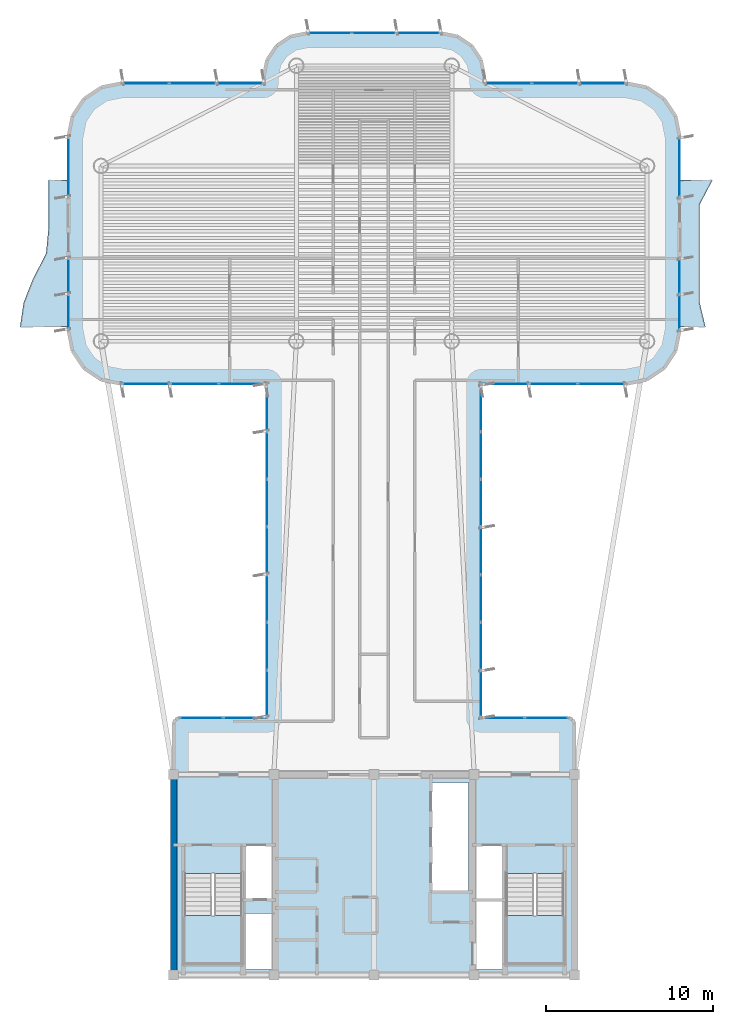
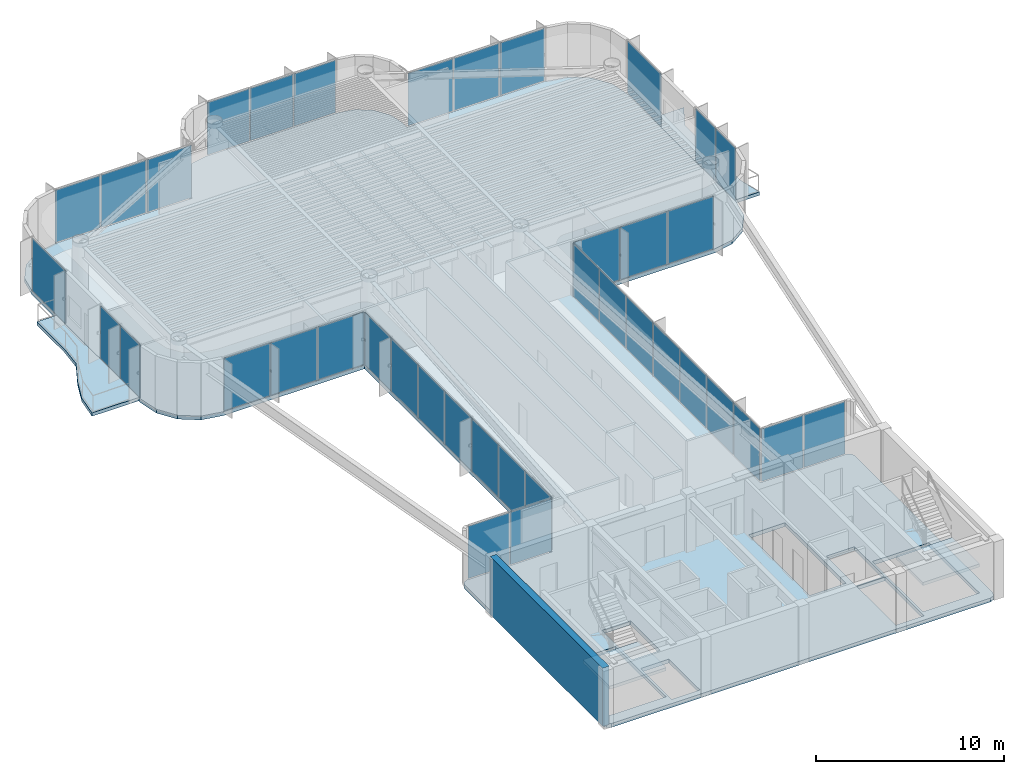
# One storey, part 9 of 15: 39 plates, 5 slabs, 1 wall, 15 elements without a shape of their own.
"""IFC4 building model written with IfcOpenShell, lengths in metres."""

from ifc_helpers import new_model, si_unit, direction, frame, frame_2d, origin, origin_2d, place, context, subcontext, project, spatial, polyline, rectangle, outline, extrude, source, transform, mapped, material, layer, layer_set, type_object, element, aggregate, save


model = new_model("IFC4")

# Units and contexts
model_context = context("Model", 3, precision=1e-05, world=origin(), true_north=direction((0.0, 1.0)))
body_context = subcontext(model_context, "Body", "Model", "MODEL_VIEW")
ifc_project = project(units=[si_unit("LENGTHUNIT", "METRE"), si_unit("AREAUNIT", "SQUARE_METRE"), si_unit("VOLUMEUNIT", "CUBIC_METRE"), si_unit("PLANEANGLEUNIT", "RADIAN"), si_unit("MASSUNIT", "GRAM", prefix="KILO")], contexts=[model_context])

# Site, building, storey
site_placement = place(None, origin())
site = spatial("IfcSite", under=ifc_project, at=site_placement, CompositionType="ELEMENT")
building_placement = place(site_placement, origin())
building = spatial("IfcBuilding", under=site, at=building_placement, Name="Brelvock Crest Care Tower", CompositionType="ELEMENT")
storey_placement = place(building_placement, frame((0.0, 0.0, 241.919921875)))
storey = spatial("IfcBuildingStorey", under=building, at=storey_placement, Name="L61", CompositionType="ELEMENT", Elevation=241.919921875)

# Slabs
ifc_material_1 = material(Name="Concrete N50 (50 MPa)", Category="concrete")
ifc_layer_1 = layer(ifc_material_1, 0.22998046875, Name="SLB-FL4")
ifc_layer_set_1 = layer_set([ifc_layer_1], Name="Concrete N50 (50 MPa)")
slab_type_1 = type_object("IfcSlabType", Name="SLB-FL4", PredefinedType="FLOOR", material=ifc_layer_set_1)
slab_1_placement = place(storey_placement, frame((0.0, 0.0, -0.25)))
element("IfcSlab", 1, at=slab_1_placement, inside=storey, type_object=slab_type_1, Name="L61 Main Structural Slab", PredefinedType="FLOOR", context=body_context, shape_type="SweptSolid", body=[
    extrude(outline(polyline([(47.64990234375, 21.39990234375), (42.39990234375, 21.39990234375), (42.39990234375, 41.39990234375), (51.10009765625, 41.39990234375), (52.32470703125, 41.6435546875), (53.36279296875, 42.33740234375), (54.056396484375, 43.37548828125), (54.300048828125, 44.60009765625), (54.300048828125, 56.199951171875), (54.056396484375, 57.424560546875), (53.36279296875, 58.462646484375), (52.32470703125, 59.156494140625), (51.10009765625, 59.39990234375), (42.60009765625, 59.39990234375), (42.60009765625, 59.800048828125), (42.402099609375, 60.794921875), (41.83837890625, 61.638427734375), (40.9951171875, 62.2021484375), (40.0, 62.39990234375), (32.0, 62.39990234375), (31.0048828125, 62.2021484375), (30.16162109375, 61.638427734375), (29.597900390625, 60.794921875), (29.39990234375, 59.800048828125), (29.39990234375, 59.39990234375), (20.89990234375, 59.39990234375), (19.67529296875, 59.156494140625), (18.63720703125, 58.462646484375), (17.943603515625, 57.424560546875), (17.699951171875, 56.199951171875), (17.699951171875, 44.60009765625), (17.943603515625, 43.37548828125), (18.63720703125, 42.33740234375), (19.67529296875, 41.6435546875), (20.89990234375, 41.39990234375), (29.60009765625, 41.39990234375), (29.60009765625, 21.39990234375), (24.35009765625, 21.39990234375), (24.1025390625, 21.297607421875), (24.0, 21.050048828125), (24.0, 6.35009765625), (24.1025390625, 6.1025390625), (24.35009765625, 6.0), (47.64990234375, 6.0), (47.8974609375, 6.1025390625), (48.0, 6.35009765625), (48.0, 21.050048828125), (47.8974609375, 21.297607421875), (47.64990234375, 21.39990234375)]), holes=[polyline([(28.239990234375, 10.580078125), (29.97998046875, 10.580078125), (29.97998046875, 13.739990234375), (28.239990234375, 13.739990234375), (28.239990234375, 10.580078125)]), polyline([(42.02001953125, 10.580078125), (43.760009765625, 10.580078125), (43.760009765625, 13.739990234375), (42.02001953125, 13.739990234375), (42.02001953125, 10.580078125)]), polyline([(28.239990234375, 6.340087890625), (29.97998046875, 6.340087890625), (29.97998046875, 9.64990234375), (28.239990234375, 9.64990234375), (28.239990234375, 6.340087890625)]), polyline([(24.6298828125, 12.080078125), (24.6298828125, 6.699951171875), (28.110107421875, 6.699951171875), (28.110107421875, 12.080078125), (24.6298828125, 12.080078125)]), polyline([(43.889892578125, 12.080078125), (43.889892578125, 6.699951171875), (47.3701171875, 6.699951171875), (47.3701171875, 12.080078125), (43.889892578125, 12.080078125)]), polyline([(42.02001953125, 6.340087890625), (43.760009765625, 6.340087890625), (43.760009765625, 10.5), (42.02001953125, 10.5), (42.02001953125, 6.340087890625)]), polyline([(39.429931640625, 11.030029296875), (41.669921875, 11.030029296875), (41.669921875, 17.52001953125), (39.429931640625, 17.52001953125), (39.429931640625, 11.030029296875)])]), origin(), (0.0, 0.0, 1.0), 0.25),
])
ifc_layer_2 = layer(ifc_material_1, 0.219970703125, Name="SLB-WB1")
ifc_layer_set_2 = layer_set([ifc_layer_2], Name="Concrete N50 (50 MPa)")
slab_type_2 = type_object("IfcSlabType", Name="SLB-WB1", PredefinedType="FLOOR", material=ifc_layer_set_2)
slab_2_placement = place(storey_placement, frame((0.0, 0.0, -0.219970703125)))
element("IfcSlab", 2, at=slab_2_placement, inside=storey, type_object=slab_type_2, Name="L61 W Sinusoidal Wave Balcony Slab", PredefinedType="FLOOR", context=body_context, shape_type="SweptSolid", body=[
    extrude(outline(polyline([(17.699951171875, 53.60009765625), (16.5, 53.60009765625), (16.5, 52.13330078125), (16.5, 50.666748046875), (16.361083984375, 49.199951171875), (15.600830078125, 47.7333984375), (15.017822265625, 46.2666015625), (14.800048828125, 44.800048828125), (17.699951171875, 44.800048828125), (17.699951171875, 53.60009765625)])), origin(), (0.0, 0.0, 1.0), 0.219970703125),
])
slab_3_placement = place(storey_placement, frame((0.0, 0.0, -0.219970703125)))
element("IfcSlab", 3, at=slab_3_placement, inside=storey, type_object=slab_type_2, Name="L61 E Sinusoidal Wave Balcony Slab", PredefinedType="FLOOR", context=body_context, shape_type="SweptSolid", body=[
    extrude(outline(polyline([(54.300048828125, 44.800048828125), (55.85009765625, 44.800048828125), (55.5, 46.2666015625), (55.5, 47.7333984375), (55.5, 49.199951171875), (55.5, 50.666748046875), (55.50048828125, 52.13330078125), (56.26708984375, 53.60009765625), (54.300048828125, 53.60009765625), (54.300048828125, 44.800048828125)])), origin(), (0.0, 0.0, 1.0), 0.219970703125),
])

# Stair, slab
ifc_material_2 = material(Name="Concrete N40 (40 MPa)", Category="concrete")
stair_type = type_object("IfcStairType", Name="ST-CORE1", PredefinedType="HALF_TURN_STAIR", material=ifc_material_2)
stair_1_placement = place(storey_placement, origin())
stair_1 = element("IfcStair", 4, at=stair_1_placement, inside=storey, type_object=stair_type, Name="L61 Fire-Isolated Core Stair ST-1", PredefinedType="HALF_TURN_STAIR")
ifc_layer_3 = layer(ifc_material_2, 0.199951171875, Name="STL-1")
ifc_layer_set_3 = layer_set([ifc_layer_3], Name="Concrete N40 (40 MPa)")
slab_type_3 = type_object("IfcSlabType", Name="STL-1", PredefinedType="LANDING", material=ifc_layer_set_3)
slab_4_placement = place(storey_placement, frame((0.0, 0.0, 1.690185546875)))
slab_4 = element("IfcSlab", 5, at=slab_4_placement, type_object=slab_type_3, Name="ST-1 landing 1", PredefinedType="LANDING", context=body_context, shape_type="SweptSolid", body=[
    extrude(outline(polyline([(24.6298828125, 9.56005859375), (24.6298828125, 6.699951171875), (28.110107421875, 6.699951171875), (28.110107421875, 9.56005859375), (24.6298828125, 9.56005859375)])), origin(), (0.0, 0.0, 1.0), 0.199951171875),
])
aggregate(stair_1, [slab_4])

stair_2_placement = place(storey_placement, origin())
stair_2 = element("IfcStair", 6, at=stair_2_placement, inside=storey, type_object=stair_type, Name="L61 Fire-Isolated Core Stair ST-2", PredefinedType="HALF_TURN_STAIR")
slab_5_placement = place(storey_placement, frame((0.0, 0.0, 1.690185546875)))
slab_5 = element("IfcSlab", 7, at=slab_5_placement, type_object=slab_type_3, Name="ST-2 landing 1", PredefinedType="LANDING", context=body_context, shape_type="SweptSolid", body=[
    extrude(outline(polyline([(43.889892578125, 9.56005859375), (43.889892578125, 6.699951171875), (47.3701171875, 6.699951171875), (47.3701171875, 9.56005859375), (43.889892578125, 9.56005859375)])), origin(), (0.0, 0.0, 1.0), 0.199951171875),
])
aggregate(stair_2, [slab_5])

# Curtain wall, plates
ifc_material_3 = material(Name="Dark Glass Double Glazed Low-E", Category="glass")
ifc_layer_4 = layer(ifc_material_3, 0.239990234375, Name="CWS-5")
ifc_layer_set_4 = layer_set([ifc_layer_4], Name="Dark Glass Double Glazed Low-E")
curtain_wall_type = type_object("IfcCurtainWallType", Name="CWS-5", PredefinedType="NOTDEFINED", material=ifc_layer_set_4)
curtain_wall_1_placement = place(storey_placement, origin())
curtain_wall_1 = element("IfcCurtainWall", 8, at=curtain_wall_1_placement, inside=storey, type_object=curtain_wall_type, Name="L61 Curtain Wall E10", PredefinedType="NOTDEFINED")
ifc_layer_5 = layer(ifc_material_3, 0.0380859375, Name="CWP-V2")
ifc_layer_set_5 = layer_set([ifc_layer_5], Name="Dark Glass Double Glazed Low-E")
plate_type = type_object("IfcPlateType", Name="CWP-V2", PredefinedType="CURTAIN_PANEL", material=ifc_layer_set_5)
shared_shape_1 = source(origin(), body_context, "Body", "SweptSolid", [
    extrude(rectangle(XDim=2.534912109375, YDim=0.035888671875, at=origin_2d()), origin(), (0.0, 0.0, 1.0), 3.409912109375),
])
plate_1_placement = place(storey_placement, frame((25.677490234375, 21.39990234375, 0.06005859375), z_axis=(0.0, 0.0, 1.0), x_axis=(1.0, 0.0, 0.0)))
plate_1 = element("IfcPlate", 9, at=plate_1_placement, type_object=plate_type, Name="CW-5 panel 1.1", PredefinedType="CURTAIN_PANEL", context=body_context, shape_type="MappedRepresentation", body=[
    mapped(shared_shape_1, transform((0.0, 0.0, 0.0), x_axis=(1.0, 0.0, 0.0), y_axis=(0.0, 1.0, 0.0), z_axis=(0.0, 0.0, 1.0), scale=1.0)),
])
plate_2_placement = place(storey_placement, frame((28.2724609375, 21.39990234375, 0.06005859375), z_axis=(0.0, 0.0, 1.0), x_axis=(1.0, 0.0, 0.0)))
plate_2 = element("IfcPlate", 10, at=plate_2_placement, type_object=plate_type, Name="CW-5 panel 2.1", PredefinedType="CURTAIN_PANEL", context=body_context, shape_type="MappedRepresentation", body=[
    mapped(shared_shape_1, transform((0.0, 0.0, 0.0), x_axis=(1.0, 0.0, 0.0), y_axis=(0.0, 1.0, 0.0), z_axis=(0.0, 0.0, 1.0), scale=1.0)),
])
aggregate(curtain_wall_1, [plate_1, plate_2])

curtain_wall_2_placement = place(storey_placement, origin())
curtain_wall_2 = element("IfcCurtainWall", 11, at=curtain_wall_2_placement, inside=storey, type_object=curtain_wall_type, Name="L61 Curtain Wall E46", PredefinedType="NOTDEFINED")
plate_3_placement = place(storey_placement, frame((43.7275390625, 21.39990234375, 0.06005859375), z_axis=(0.0, 0.0, 1.0), x_axis=(1.0, 0.0, 0.0)))
plate_3 = element("IfcPlate", 12, at=plate_3_placement, type_object=plate_type, Name="CW-5 panel 1.1", PredefinedType="CURTAIN_PANEL", context=body_context, shape_type="MappedRepresentation", body=[
    mapped(shared_shape_1, transform((0.0, 0.0, 0.0), x_axis=(1.0, 0.0, 0.0), y_axis=(0.0, 1.0, 0.0), z_axis=(0.0, 0.0, 1.0), scale=1.0)),
])
plate_4_placement = place(storey_placement, frame((46.322509765625, 21.39990234375, 0.06005859375), z_axis=(0.0, 0.0, 1.0), x_axis=(1.0, 0.0, 0.0)))
plate_4 = element("IfcPlate", 13, at=plate_4_placement, type_object=plate_type, Name="CW-5 panel 2.1", PredefinedType="CURTAIN_PANEL", context=body_context, shape_type="MappedRepresentation", body=[
    mapped(shared_shape_1, transform((0.0, 0.0, 0.0), x_axis=(1.0, 0.0, 0.0), y_axis=(0.0, 1.0, 0.0), z_axis=(0.0, 0.0, 1.0), scale=1.0)),
])
aggregate(curtain_wall_2, [plate_3, plate_4])

curtain_wall_3_placement = place(storey_placement, origin())
curtain_wall_3 = element("IfcCurtainWall", 14, at=curtain_wall_3_placement, inside=storey, type_object=curtain_wall_type, Name="L61 Curtain Wall E11", PredefinedType="NOTDEFINED")
shared_shape_2 = source(origin(), body_context, "Body", "SweptSolid", [
    extrude(rectangle(XDim=2.76708984375, YDim=0.035888671875, at=origin_2d()), origin(), (0.0, 0.0, 1.0), 3.409912109375),
])
plate_5_placement = place(storey_placement, frame((29.60009765625, 22.843505859375, 0.06005859375), z_axis=(0.0, 0.0, 1.0), x_axis=(0.0, 1.0, 0.0)))
plate_5 = element("IfcPlate", 15, at=plate_5_placement, type_object=plate_type, Name="CW-5 panel 1.1", PredefinedType="CURTAIN_PANEL", context=body_context, shape_type="MappedRepresentation", body=[
    mapped(shared_shape_2, transform((0.0, 0.0, 0.0), x_axis=(1.0, 0.0, 0.0), y_axis=(0.0, 1.0, 0.0), z_axis=(0.0, 0.0, 1.0), scale=1.0)),
])
plate_6_placement = place(storey_placement, frame((29.60009765625, 39.95654296875, 0.06005859375), z_axis=(0.0, 0.0, 1.0), x_axis=(0.0, 1.0, 0.0)))
plate_6 = element("IfcPlate", 16, at=plate_6_placement, type_object=plate_type, Name="CW-5 panel 7.1", PredefinedType="CURTAIN_PANEL", context=body_context, shape_type="MappedRepresentation", body=[
    mapped(shared_shape_2, transform((0.0, 0.0, 0.0), x_axis=(1.0, 0.0, 0.0), y_axis=(0.0, 1.0, 0.0), z_axis=(0.0, 0.0, 1.0), scale=1.0)),
])

curtain_wall_4_placement = place(storey_placement, origin())
curtain_wall_4 = element("IfcCurtainWall", 17, at=curtain_wall_4_placement, inside=storey, type_object=curtain_wall_type, Name="L61 Curtain Wall E45", PredefinedType="NOTDEFINED")
plate_7_placement = place(storey_placement, frame((42.39990234375, 39.95654296875, 0.06005859375), z_axis=(0.0, 0.0, 1.0), x_axis=(0.0, -1.0, 0.0)))
plate_7 = element("IfcPlate", 18, at=plate_7_placement, type_object=plate_type, Name="CW-5 panel 1.1", PredefinedType="CURTAIN_PANEL", context=body_context, shape_type="MappedRepresentation", body=[
    mapped(shared_shape_2, transform((0.0, 0.0, 0.0), x_axis=(1.0, 0.0, 0.0), y_axis=(0.0, 1.0, 0.0), z_axis=(0.0, 0.0, 1.0), scale=1.0)),
])
plate_8_placement = place(storey_placement, frame((42.39990234375, 22.843505859375, 0.06005859375), z_axis=(0.0, 0.0, 1.0), x_axis=(0.0, -1.0, 0.0)))
plate_8 = element("IfcPlate", 19, at=plate_8_placement, type_object=plate_type, Name="CW-5 panel 7.1", PredefinedType="CURTAIN_PANEL", context=body_context, shape_type="MappedRepresentation", body=[
    mapped(shared_shape_2, transform((0.0, 0.0, 0.0), x_axis=(1.0, 0.0, 0.0), y_axis=(0.0, 1.0, 0.0), z_axis=(0.0, 0.0, 1.0), scale=1.0)),
])

# Plate
shared_shape_3 = source(origin(), body_context, "Body", "SweptSolid", [
    extrude(rectangle(XDim=2.797119140625, YDim=0.035888671875, at=origin_2d()), origin(), (0.0, 0.0, 1.0), 3.409912109375),
])
plate_9_placement = place(storey_placement, frame((29.60009765625, 25.685791015625, 0.06005859375), z_axis=(0.0, 0.0, 1.0), x_axis=(0.0, 1.0, 0.0)))
plate_9 = element("IfcPlate", 20, at=plate_9_placement, type_object=plate_type, Name="CW-5 panel 2.1", PredefinedType="CURTAIN_PANEL", context=body_context, shape_type="MappedRepresentation", body=[
    mapped(shared_shape_3, transform((0.0, 0.0, 0.0), x_axis=(1.0, 0.0, 0.0), y_axis=(0.0, 1.0, 0.0), z_axis=(0.0, 0.0, 1.0), scale=1.0)),
])

plate_10_placement = place(storey_placement, frame((29.60009765625, 28.54296875, 0.06005859375), z_axis=(0.0, 0.0, 1.0), x_axis=(0.0, 1.0, 0.0)))
plate_10 = element("IfcPlate", 21, at=plate_10_placement, type_object=plate_type, Name="CW-5 panel 3.1", PredefinedType="CURTAIN_PANEL", context=body_context, shape_type="MappedRepresentation", body=[
    mapped(shared_shape_3, transform((0.0, 0.0, 0.0), x_axis=(1.0, 0.0, 0.0), y_axis=(0.0, 1.0, 0.0), z_axis=(0.0, 0.0, 1.0), scale=1.0)),
])

plate_11_placement = place(storey_placement, frame((29.60009765625, 31.39990234375, 0.06005859375), z_axis=(0.0, 0.0, 1.0), x_axis=(0.0, 1.0, 0.0)))
plate_11 = element("IfcPlate", 22, at=plate_11_placement, type_object=plate_type, Name="CW-5 panel 4.1", PredefinedType="CURTAIN_PANEL", context=body_context, shape_type="MappedRepresentation", body=[
    mapped(shared_shape_3, transform((0.0, 0.0, 0.0), x_axis=(1.0, 0.0, 0.0), y_axis=(0.0, 1.0, 0.0), z_axis=(0.0, 0.0, 1.0), scale=1.0)),
])

plate_12_placement = place(storey_placement, frame((29.60009765625, 34.257080078125, 0.06005859375), z_axis=(0.0, 0.0, 1.0), x_axis=(0.0, 1.0, 0.0)))
plate_12 = element("IfcPlate", 23, at=plate_12_placement, type_object=plate_type, Name="CW-5 panel 5.1", PredefinedType="CURTAIN_PANEL", context=body_context, shape_type="MappedRepresentation", body=[
    mapped(shared_shape_3, transform((0.0, 0.0, 0.0), x_axis=(1.0, 0.0, 0.0), y_axis=(0.0, 1.0, 0.0), z_axis=(0.0, 0.0, 1.0), scale=1.0)),
])

plate_13_placement = place(storey_placement, frame((29.60009765625, 37.1142578125, 0.06005859375), z_axis=(0.0, 0.0, 1.0), x_axis=(0.0, 1.0, 0.0)))
plate_13 = element("IfcPlate", 24, at=plate_13_placement, type_object=plate_type, Name="CW-5 panel 6.1", PredefinedType="CURTAIN_PANEL", context=body_context, shape_type="MappedRepresentation", body=[
    mapped(shared_shape_3, transform((0.0, 0.0, 0.0), x_axis=(1.0, 0.0, 0.0), y_axis=(0.0, 1.0, 0.0), z_axis=(0.0, 0.0, 1.0), scale=1.0)),
])

aggregate(curtain_wall_3, [plate_5, plate_9, plate_10, plate_11, plate_12, plate_13, plate_6])

plate_14_placement = place(storey_placement, frame((42.39990234375, 37.1142578125, 0.06005859375), z_axis=(0.0, 0.0, 1.0), x_axis=(0.0, -1.0, 0.0)))
plate_14 = element("IfcPlate", 25, at=plate_14_placement, type_object=plate_type, Name="CW-5 panel 2.1", PredefinedType="CURTAIN_PANEL", context=body_context, shape_type="MappedRepresentation", body=[
    mapped(shared_shape_3, transform((0.0, 0.0, 0.0), x_axis=(1.0, 0.0, 0.0), y_axis=(0.0, 1.0, 0.0), z_axis=(0.0, 0.0, 1.0), scale=1.0)),
])

plate_15_placement = place(storey_placement, frame((42.39990234375, 34.257080078125, 0.06005859375), z_axis=(0.0, 0.0, 1.0), x_axis=(0.0, -1.0, 0.0)))
plate_15 = element("IfcPlate", 26, at=plate_15_placement, type_object=plate_type, Name="CW-5 panel 3.1", PredefinedType="CURTAIN_PANEL", context=body_context, shape_type="MappedRepresentation", body=[
    mapped(shared_shape_3, transform((0.0, 0.0, 0.0), x_axis=(1.0, 0.0, 0.0), y_axis=(0.0, 1.0, 0.0), z_axis=(0.0, 0.0, 1.0), scale=1.0)),
])

plate_16_placement = place(storey_placement, frame((42.39990234375, 31.39990234375, 0.06005859375), z_axis=(0.0, 0.0, 1.0), x_axis=(0.0, -1.0, 0.0)))
plate_16 = element("IfcPlate", 27, at=plate_16_placement, type_object=plate_type, Name="CW-5 panel 4.1", PredefinedType="CURTAIN_PANEL", context=body_context, shape_type="MappedRepresentation", body=[
    mapped(shared_shape_3, transform((0.0, 0.0, 0.0), x_axis=(1.0, 0.0, 0.0), y_axis=(0.0, 1.0, 0.0), z_axis=(0.0, 0.0, 1.0), scale=1.0)),
])

plate_17_placement = place(storey_placement, frame((42.39990234375, 28.54296875, 0.06005859375), z_axis=(0.0, 0.0, 1.0), x_axis=(0.0, -1.0, 0.0)))
plate_17 = element("IfcPlate", 28, at=plate_17_placement, type_object=plate_type, Name="CW-5 panel 5.1", PredefinedType="CURTAIN_PANEL", context=body_context, shape_type="MappedRepresentation", body=[
    mapped(shared_shape_3, transform((0.0, 0.0, 0.0), x_axis=(1.0, 0.0, 0.0), y_axis=(0.0, 1.0, 0.0), z_axis=(0.0, 0.0, 1.0), scale=1.0)),
])

plate_18_placement = place(storey_placement, frame((42.39990234375, 25.685791015625, 0.06005859375), z_axis=(0.0, 0.0, 1.0), x_axis=(0.0, -1.0, 0.0)))
plate_18 = element("IfcPlate", 29, at=plate_18_placement, type_object=plate_type, Name="CW-5 panel 6.1", PredefinedType="CURTAIN_PANEL", context=body_context, shape_type="MappedRepresentation", body=[
    mapped(shared_shape_3, transform((0.0, 0.0, 0.0), x_axis=(1.0, 0.0, 0.0), y_axis=(0.0, 1.0, 0.0), z_axis=(0.0, 0.0, 1.0), scale=1.0)),
])

aggregate(curtain_wall_4, [plate_7, plate_14, plate_15, plate_16, plate_17, plate_18, plate_8])

# Curtain wall, plates
curtain_wall_5_placement = place(storey_placement, origin())
curtain_wall_5 = element("IfcCurtainWall", 30, at=curtain_wall_5_placement, inside=storey, type_object=curtain_wall_type, Name="L61 Curtain Wall E12", PredefinedType="NOTDEFINED")
shared_shape_4 = source(origin(), body_context, "Body", "SweptSolid", [
    extrude(rectangle(XDim=2.81005859375, YDim=0.035888671875, at=origin_2d()), origin(), (0.0, 0.0, 1.0), 3.409912109375),
])
plate_19_placement = place(storey_placement, frame((28.135009765625, 41.39990234375, 0.06005859375), z_axis=(0.0, 0.0, 1.0), x_axis=(-1.0, 0.0, 0.0)))
plate_19 = element("IfcPlate", 31, at=plate_19_placement, type_object=plate_type, Name="CW-5 panel 1.1", PredefinedType="CURTAIN_PANEL", context=body_context, shape_type="MappedRepresentation", body=[
    mapped(shared_shape_4, transform((0.0, 0.0, 0.0), x_axis=(1.0, 0.0, 0.0), y_axis=(0.0, 1.0, 0.0), z_axis=(0.0, 0.0, 1.0), scale=1.0)),
])
plate_20_placement = place(storey_placement, frame((22.364990234375, 41.39990234375, 0.06005859375), z_axis=(0.0, 0.0, 1.0), x_axis=(-1.0, 0.0, 0.0)))
plate_20 = element("IfcPlate", 32, at=plate_20_placement, type_object=plate_type, Name="CW-5 panel 3.1", PredefinedType="CURTAIN_PANEL", context=body_context, shape_type="MappedRepresentation", body=[
    mapped(shared_shape_4, transform((0.0, 0.0, 0.0), x_axis=(1.0, 0.0, 0.0), y_axis=(0.0, 1.0, 0.0), z_axis=(0.0, 0.0, 1.0), scale=1.0)),
])

curtain_wall_6_placement = place(storey_placement, origin())
curtain_wall_6 = element("IfcCurtainWall", 33, at=curtain_wall_6_placement, inside=storey, type_object=curtain_wall_type, Name="L61 Curtain Wall E44", PredefinedType="NOTDEFINED")
plate_21_placement = place(storey_placement, frame((49.635009765625, 41.39990234375, 0.06005859375), z_axis=(0.0, 0.0, 1.0), x_axis=(-1.0, 0.0, 0.0)))
plate_21 = element("IfcPlate", 34, at=plate_21_placement, type_object=plate_type, Name="CW-5 panel 1.1", PredefinedType="CURTAIN_PANEL", context=body_context, shape_type="MappedRepresentation", body=[
    mapped(shared_shape_4, transform((0.0, 0.0, 0.0), x_axis=(1.0, 0.0, 0.0), y_axis=(0.0, 1.0, 0.0), z_axis=(0.0, 0.0, 1.0), scale=1.0)),
])
plate_22_placement = place(storey_placement, frame((43.864990234375, 41.39990234375, 0.06005859375), z_axis=(0.0, 0.0, 1.0), x_axis=(-1.0, 0.0, 0.0)))
plate_22 = element("IfcPlate", 35, at=plate_22_placement, type_object=plate_type, Name="CW-5 panel 3.1", PredefinedType="CURTAIN_PANEL", context=body_context, shape_type="MappedRepresentation", body=[
    mapped(shared_shape_4, transform((0.0, 0.0, 0.0), x_axis=(1.0, 0.0, 0.0), y_axis=(0.0, 1.0, 0.0), z_axis=(0.0, 0.0, 1.0), scale=1.0)),
])

# Plate
shared_shape_5 = source(origin(), body_context, "Body", "SweptSolid", [
    extrude(rectangle(XDim=2.840087890625, YDim=0.035888671875, at=origin_2d()), origin(), (0.0, 0.0, 1.0), 3.409912109375),
])
plate_23_placement = place(storey_placement, frame((25.25, 41.39990234375, 0.06005859375), z_axis=(0.0, 0.0, 1.0), x_axis=(-1.0, 0.0, 0.0)))
plate_23 = element("IfcPlate", 36, at=plate_23_placement, type_object=plate_type, Name="CW-5 panel 2.1", PredefinedType="CURTAIN_PANEL", context=body_context, shape_type="MappedRepresentation", body=[
    mapped(shared_shape_5, transform((0.0, 0.0, 0.0), x_axis=(1.0, 0.0, 0.0), y_axis=(0.0, 1.0, 0.0), z_axis=(0.0, 0.0, 1.0), scale=1.0)),
])

aggregate(curtain_wall_5, [plate_19, plate_23, plate_20])

plate_24_placement = place(storey_placement, frame((46.75, 41.39990234375, 0.06005859375), z_axis=(0.0, 0.0, 1.0), x_axis=(-1.0, 0.0, 0.0)))
plate_24 = element("IfcPlate", 37, at=plate_24_placement, type_object=plate_type, Name="CW-5 panel 2.1", PredefinedType="CURTAIN_PANEL", context=body_context, shape_type="MappedRepresentation", body=[
    mapped(shared_shape_5, transform((0.0, 0.0, 0.0), x_axis=(1.0, 0.0, 0.0), y_axis=(0.0, 1.0, 0.0), z_axis=(0.0, 0.0, 1.0), scale=1.0)),
])

aggregate(curtain_wall_6, [plate_21, plate_24, plate_22])

# Curtain wall, plates
curtain_wall_7_placement = place(storey_placement, origin())
curtain_wall_7 = element("IfcCurtainWall", 38, at=curtain_wall_7_placement, inside=storey, type_object=curtain_wall_type, Name="L61 Curtain Wall E22", PredefinedType="NOTDEFINED")
shared_shape_6 = source(origin(), body_context, "Body", "SweptSolid", [
    extrude(rectangle(XDim=2.743408203125, YDim=0.035888671875, at=origin_2d()), origin(), (0.0, 0.0, 1.0), 3.409912109375),
])
plate_25_placement = place(storey_placement, frame((22.331787109375, 59.39990234375, 0.06005859375), z_axis=(0.0, 0.0, 1.0), x_axis=(1.0, 0.0, 0.0)))
plate_25 = element("IfcPlate", 39, at=plate_25_placement, type_object=plate_type, Name="CW-5 panel 1.1", PredefinedType="CURTAIN_PANEL", context=body_context, shape_type="MappedRepresentation", body=[
    mapped(shared_shape_6, transform((0.0, 0.0, 0.0), x_axis=(1.0, 0.0, 0.0), y_axis=(0.0, 1.0, 0.0), z_axis=(0.0, 0.0, 1.0), scale=1.0)),
])
plate_26_placement = place(storey_placement, frame((27.96826171875, 59.39990234375, 0.06005859375), z_axis=(0.0, 0.0, 1.0), x_axis=(1.0, 0.0, 0.0)))
plate_26 = element("IfcPlate", 40, at=plate_26_placement, type_object=plate_type, Name="CW-5 panel 3.1", PredefinedType="CURTAIN_PANEL", context=body_context, shape_type="MappedRepresentation", body=[
    mapped(shared_shape_6, transform((0.0, 0.0, 0.0), x_axis=(1.0, 0.0, 0.0), y_axis=(0.0, 1.0, 0.0), z_axis=(0.0, 0.0, 1.0), scale=1.0)),
])

curtain_wall_8_placement = place(storey_placement, origin())
curtain_wall_8 = element("IfcCurtainWall", 41, at=curtain_wall_8_placement, inside=storey, type_object=curtain_wall_type, Name="L61 Curtain Wall E34", PredefinedType="NOTDEFINED")
plate_27_placement = place(storey_placement, frame((44.03173828125, 59.39990234375, 0.06005859375), z_axis=(0.0, 0.0, 1.0), x_axis=(1.0, 0.0, 0.0)))
plate_27 = element("IfcPlate", 42, at=plate_27_placement, type_object=plate_type, Name="CW-5 panel 1.1", PredefinedType="CURTAIN_PANEL", context=body_context, shape_type="MappedRepresentation", body=[
    mapped(shared_shape_6, transform((0.0, 0.0, 0.0), x_axis=(1.0, 0.0, 0.0), y_axis=(0.0, 1.0, 0.0), z_axis=(0.0, 0.0, 1.0), scale=1.0)),
])
plate_28_placement = place(storey_placement, frame((49.668212890625, 59.39990234375, 0.06005859375), z_axis=(0.0, 0.0, 1.0), x_axis=(1.0, 0.0, 0.0)))
plate_28 = element("IfcPlate", 43, at=plate_28_placement, type_object=plate_type, Name="CW-5 panel 3.1", PredefinedType="CURTAIN_PANEL", context=body_context, shape_type="MappedRepresentation", body=[
    mapped(shared_shape_6, transform((0.0, 0.0, 0.0), x_axis=(1.0, 0.0, 0.0), y_axis=(0.0, 1.0, 0.0), z_axis=(0.0, 0.0, 1.0), scale=1.0)),
])

# Plate
shared_shape_7 = source(origin(), body_context, "Body", "SweptSolid", [
    extrude(rectangle(XDim=2.7734375, YDim=0.035888671875, at=origin_2d()), origin(), (0.0, 0.0, 1.0), 3.409912109375),
])
plate_29_placement = place(storey_placement, frame((25.14990234375, 59.39990234375, 0.06005859375), z_axis=(0.0, 0.0, 1.0), x_axis=(1.0, 0.0, 0.0)))
plate_29 = element("IfcPlate", 44, at=plate_29_placement, type_object=plate_type, Name="CW-5 panel 2.1", PredefinedType="CURTAIN_PANEL", context=body_context, shape_type="MappedRepresentation", body=[
    mapped(shared_shape_7, transform((0.0, 0.0, 0.0), x_axis=(1.0, 0.0, 0.0), y_axis=(0.0, 1.0, 0.0), z_axis=(0.0, 0.0, 1.0), scale=1.0)),
])

aggregate(curtain_wall_7, [plate_25, plate_29, plate_26])

plate_30_placement = place(storey_placement, frame((46.85009765625, 59.39990234375, 0.06005859375), z_axis=(0.0, 0.0, 1.0), x_axis=(1.0, 0.0, 0.0)))
plate_30 = element("IfcPlate", 45, at=plate_30_placement, type_object=plate_type, Name="CW-5 panel 2.1", PredefinedType="CURTAIN_PANEL", context=body_context, shape_type="MappedRepresentation", body=[
    mapped(shared_shape_7, transform((0.0, 0.0, 0.0), x_axis=(1.0, 0.0, 0.0), y_axis=(0.0, 1.0, 0.0), z_axis=(0.0, 0.0, 1.0), scale=1.0)),
])

aggregate(curtain_wall_8, [plate_27, plate_30, plate_28])

# Curtain wall, plates
curtain_wall_9_placement = place(storey_placement, origin())
curtain_wall_9 = element("IfcCurtainWall", 46, at=curtain_wall_9_placement, inside=storey, type_object=curtain_wall_type, Name="L61 Curtain Wall E28", PredefinedType="NOTDEFINED")
shared_shape_8 = source(origin(), body_context, "Body", "SweptSolid", [
    extrude(rectangle(XDim=2.57666015625, YDim=0.035888671875, at=origin_2d()), origin(), (0.0, 0.0, 1.0), 3.409912109375),
])
plate_31_placement = place(storey_placement, frame((33.348388671875, 62.39990234375, 0.06005859375), z_axis=(0.0, 0.0, 1.0), x_axis=(1.0, 0.0, 0.0)))
plate_31 = element("IfcPlate", 47, at=plate_31_placement, type_object=plate_type, Name="CW-5 panel 1.1", PredefinedType="CURTAIN_PANEL", context=body_context, shape_type="MappedRepresentation", body=[
    mapped(shared_shape_8, transform((0.0, 0.0, 0.0), x_axis=(1.0, 0.0, 0.0), y_axis=(0.0, 1.0, 0.0), z_axis=(0.0, 0.0, 1.0), scale=1.0)),
])
plate_32_placement = place(storey_placement, frame((38.651611328125, 62.39990234375, 0.06005859375), z_axis=(0.0, 0.0, 1.0), x_axis=(1.0, 0.0, 0.0)))
plate_32 = element("IfcPlate", 48, at=plate_32_placement, type_object=plate_type, Name="CW-5 panel 3.1", PredefinedType="CURTAIN_PANEL", context=body_context, shape_type="MappedRepresentation", body=[
    mapped(shared_shape_8, transform((0.0, 0.0, 0.0), x_axis=(1.0, 0.0, 0.0), y_axis=(0.0, 1.0, 0.0), z_axis=(0.0, 0.0, 1.0), scale=1.0)),
])
shared_shape_9 = source(origin(), body_context, "Body", "SweptSolid", [
    extrude(rectangle(XDim=2.606689453125, YDim=0.035888671875, at=origin_2d()), origin(), (0.0, 0.0, 1.0), 3.409912109375),
])
plate_33_placement = place(storey_placement, frame((36.0, 62.39990234375, 0.06005859375), z_axis=(0.0, 0.0, 1.0), x_axis=(1.0, 0.0, 0.0)))
plate_33 = element("IfcPlate", 49, at=plate_33_placement, type_object=plate_type, Name="CW-5 panel 2.1", PredefinedType="CURTAIN_PANEL", context=body_context, shape_type="MappedRepresentation", body=[
    mapped(shared_shape_9, transform((0.0, 0.0, 0.0), x_axis=(1.0, 0.0, 0.0), y_axis=(0.0, 1.0, 0.0), z_axis=(0.0, 0.0, 1.0), scale=1.0)),
])
aggregate(curtain_wall_9, [plate_31, plate_33, plate_32])

curtain_wall_10_placement = place(storey_placement, origin())
curtain_wall_10 = element("IfcCurtainWall", 50, at=curtain_wall_10_placement, inside=storey, type_object=curtain_wall_type, Name="L61 Curtain Wall E17A", PredefinedType="NOTDEFINED")
shared_shape_10 = source(origin(), body_context, "Body", "SweptSolid", [
    extrude(rectangle(XDim=2.0849609375, YDim=0.035888671875, at=origin_2d()), origin(), (0.0, 0.0, 1.0), 3.409912109375),
])
plate_34_placement = place(storey_placement, frame((17.699951171875, 45.702392578125, 0.06005859375), z_axis=(0.0, 0.0, 1.0), x_axis=(0.0, 1.0, 0.0)))
plate_34 = element("IfcPlate", 51, at=plate_34_placement, type_object=plate_type, Name="CW-5 panel 1.1", PredefinedType="CURTAIN_PANEL", context=body_context, shape_type="MappedRepresentation", body=[
    mapped(shared_shape_10, transform((0.0, 0.0, 0.0), x_axis=(1.0, 0.0, 0.0), y_axis=(0.0, 1.0, 0.0), z_axis=(0.0, 0.0, 1.0), scale=1.0)),
])
plate_35_placement = place(storey_placement, frame((17.699951171875, 47.847412109375, 0.06005859375), z_axis=(0.0, 0.0, 1.0), x_axis=(0.0, 1.0, 0.0)))
plate_35 = element("IfcPlate", 52, at=plate_35_placement, type_object=plate_type, Name="CW-5 panel 2.1", PredefinedType="CURTAIN_PANEL", context=body_context, shape_type="MappedRepresentation", body=[
    mapped(shared_shape_10, transform((0.0, 0.0, 0.0), x_axis=(1.0, 0.0, 0.0), y_axis=(0.0, 1.0, 0.0), z_axis=(0.0, 0.0, 1.0), scale=1.0)),
])
aggregate(curtain_wall_10, [plate_34, plate_35])

curtain_wall_11_placement = place(storey_placement, origin())
curtain_wall_11 = element("IfcCurtainWall", 53, at=curtain_wall_11_placement, inside=storey, type_object=curtain_wall_type, Name="L61 Curtain Wall E39B", PredefinedType="NOTDEFINED")
plate_36_placement = place(storey_placement, frame((54.300048828125, 47.847412109375, 0.06005859375), z_axis=(0.0, 0.0, 1.0), x_axis=(0.0, -1.0, 0.0)))
plate_36 = element("IfcPlate", 54, at=plate_36_placement, type_object=plate_type, Name="CW-5 panel 1.1", PredefinedType="CURTAIN_PANEL", context=body_context, shape_type="MappedRepresentation", body=[
    mapped(shared_shape_10, transform((0.0, 0.0, 0.0), x_axis=(1.0, 0.0, 0.0), y_axis=(0.0, 1.0, 0.0), z_axis=(0.0, 0.0, 1.0), scale=1.0)),
])
plate_37_placement = place(storey_placement, frame((54.300048828125, 45.702392578125, 0.06005859375), z_axis=(0.0, 0.0, 1.0), x_axis=(0.0, -1.0, 0.0)))
plate_37 = element("IfcPlate", 55, at=plate_37_placement, type_object=plate_type, Name="CW-5 panel 2.1", PredefinedType="CURTAIN_PANEL", context=body_context, shape_type="MappedRepresentation", body=[
    mapped(shared_shape_10, transform((0.0, 0.0, 0.0), x_axis=(1.0, 0.0, 0.0), y_axis=(0.0, 1.0, 0.0), z_axis=(0.0, 0.0, 1.0), scale=1.0)),
])
aggregate(curtain_wall_11, [plate_36, plate_37])

# Curtain wall, plate
curtain_wall_12_placement = place(storey_placement, origin())
curtain_wall_12 = element("IfcCurtainWall", 56, at=curtain_wall_12_placement, inside=storey, type_object=curtain_wall_type, Name="L61 Curtain Wall E17B", PredefinedType="NOTDEFINED")
shared_shape_11 = source(origin(), body_context, "Body", "SweptSolid", [
    extrude(rectangle(XDim=3.530029296875, YDim=0.035888671875, at=origin_2d()), origin(), (0.0, 0.0, 1.0), 3.409912109375),
])
plate_38_placement = place(storey_placement, frame((17.699951171875, 54.375, 0.06005859375), z_axis=(0.0, 0.0, 1.0), x_axis=(0.0, 1.0, 0.0)))
plate_38 = element("IfcPlate", 57, at=plate_38_placement, type_object=plate_type, Name="CW-5 panel 1.1", PredefinedType="CURTAIN_PANEL", context=body_context, shape_type="MappedRepresentation", body=[
    mapped(shared_shape_11, transform((0.0, 0.0, 0.0), x_axis=(1.0, 0.0, 0.0), y_axis=(0.0, 1.0, 0.0), z_axis=(0.0, 0.0, 1.0), scale=1.0)),
])
aggregate(curtain_wall_12, [plate_38])

curtain_wall_13_placement = place(storey_placement, origin())
curtain_wall_13 = element("IfcCurtainWall", 58, at=curtain_wall_13_placement, inside=storey, type_object=curtain_wall_type, Name="L61 Curtain Wall E39A", PredefinedType="NOTDEFINED")
plate_39_placement = place(storey_placement, frame((54.300048828125, 54.375, 0.06005859375), z_axis=(0.0, 0.0, 1.0), x_axis=(0.0, -1.0, 0.0)))
plate_39 = element("IfcPlate", 59, at=plate_39_placement, type_object=plate_type, Name="CW-5 panel 1.1", PredefinedType="CURTAIN_PANEL", context=body_context, shape_type="MappedRepresentation", body=[
    mapped(shared_shape_11, transform((0.0, 0.0, 0.0), x_axis=(1.0, 0.0, 0.0), y_axis=(0.0, 1.0, 0.0), z_axis=(0.0, 0.0, 1.0), scale=1.0)),
])
aggregate(curtain_wall_13, [plate_39])

# Wall
ifc_material_4 = material(Name="Concrete S65 (65 MPa)", Category="concrete")
ifc_layer_6 = layer(ifc_material_4, 0.39990234375, Name="WL-CS4")
ifc_layer_set_6 = layer_set([ifc_layer_6], Name="Concrete S65 (65 MPa)")
wall_type = type_object("IfcWallType", Name="WL-CS4", PredefinedType="SHEAR", material=ifc_layer_set_6)
wall_placement = place(storey_placement, frame((24.0, 6.0, 0.0), z_axis=(0.0, 0.0, 1.0), x_axis=(0.0, 1.0, 0.0)))
element("IfcWall", 60, at=wall_placement, inside=storey, type_object=wall_type, Name="L61 Core West Shear Wall", PredefinedType="SHEAR", context=body_context, shape_type="SweptSolid", body=[
    extrude(rectangle(XDim=12.0, YDim=0.39990234375, at=frame_2d((6.0, 0.0))), origin(), (0.0, 0.0, 1.0), 3.780029296875),
])

save(model, "model.ifc")
